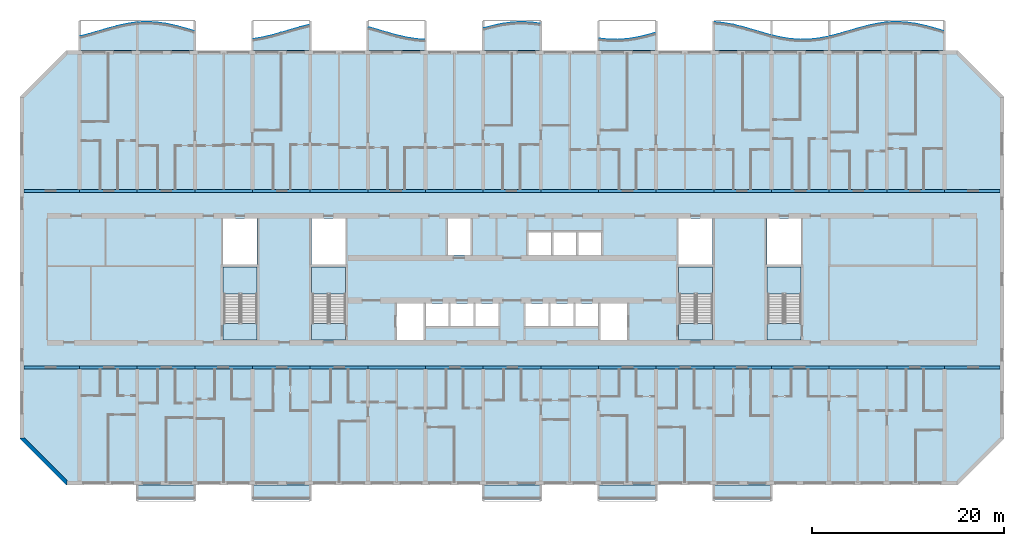
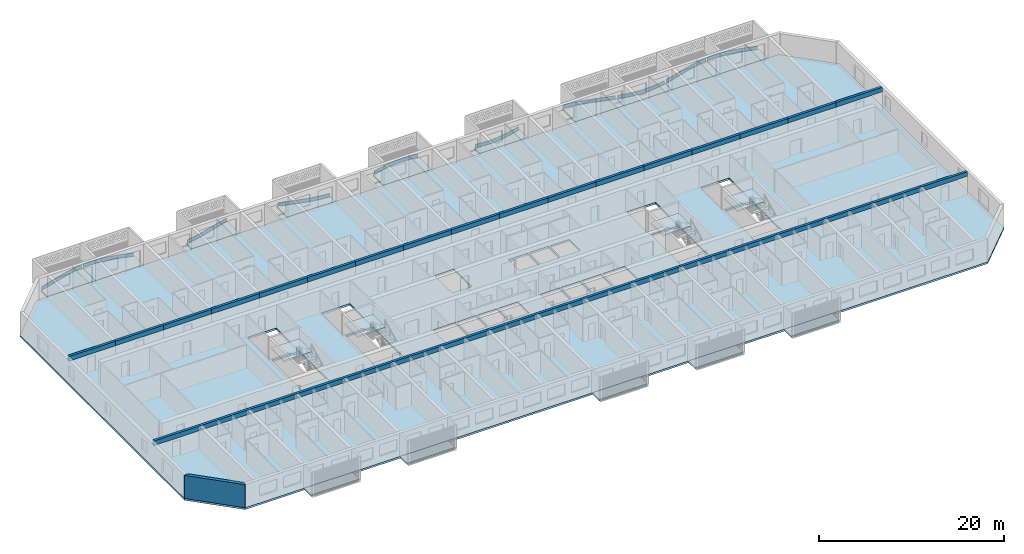
# One storey, part 1 of 40: 34 beams, 24 slabs, 10 plates, 1 wall, 4 elements without a shape of their own.
"""IFC4 building model written with IfcOpenShell, lengths in metres."""

from ifc_helpers import new_model, si_unit, direction, frame, origin, origin_2d, place, context, subcontext, project, spatial, polyline, rectangle, outline, extrude, source, transform, mapped, material, layer, layer_set, material_profile, profile_set, type_object, element, aggregate, save


model = new_model("IFC4")

# Units and contexts
model_context = context("Model", 3, precision=1e-05, world=origin(), true_north=direction((0.0, 1.0)))
body_context = subcontext(model_context, "Body", "Model", "MODEL_VIEW")
ifc_project = project(units=[si_unit("LENGTHUNIT", "METRE"), si_unit("AREAUNIT", "SQUARE_METRE"), si_unit("VOLUMEUNIT", "CUBIC_METRE"), si_unit("PLANEANGLEUNIT", "RADIAN"), si_unit("MASSUNIT", "GRAM", prefix="KILO")], contexts=[model_context])

# Site, building, storey
site_placement = place(None, origin())
site = spatial("IfcSite", under=ifc_project, at=site_placement, CompositionType="ELEMENT")
building_placement = place(site_placement, origin())
building = spatial("IfcBuilding", under=site, at=building_placement, Name="Poui Terraces", CompositionType="ELEMENT")
storey_placement = place(building_placement, frame((0.0, 0.0, 33.300048828125)))
storey = spatial("IfcBuildingStorey", under=building, at=storey_placement, Name="L08", CompositionType="ELEMENT", Elevation=33.300048828125)

# Beams
ifc_material_1 = material(Name="Concrete 80 MPa", Category="concrete")
ifc_material_profile = material_profile(ifc_material_1, rectangle(XDim=0.300048828125, YDim=0.60009765625, at=origin_2d()), Name="RC 300x600")
ifc_profile_set = profile_set([ifc_material_profile], Name="Concrete 80 MPa")
beam_type = type_object("IfcBeamType", Name="COUPLING BEAM 300x600 80MPa", PredefinedType="BEAM", material=ifc_profile_set)
shared_shape_1 = source(origin(), body_context, "Body", "SweptSolid", [
    extrude(rectangle(XDim=0.300048828125, YDim=0.60009765625, at=origin_2d()), origin(), (0.0, 0.0, 1.0), 6.0),
])
for number, where, z_axis, x_axis, name in (
    (1, (6.0, 12.0, 2.75), (1.0, 0.0, 0.0), (0.0, 1.0, 0.0), "COUPLING BEAM LINE B BAY 2"),
    (2, (12.0, 12.0, 2.75), (1.0, 0.0, 0.0), (0.0, 1.0, 0.0), "COUPLING BEAM LINE B BAY 3"),
    (3, (18.0, 12.0, 2.75), (1.0, 0.0, 0.0), (0.0, 1.0, 0.0), "COUPLING BEAM LINE B BAY 4"),
    (4, (24.0, 12.0, 2.75), (1.0, 0.0, 0.0), (0.0, 1.0, 0.0), "COUPLING BEAM LINE B BAY 5"),
    (5, (30.0, 12.0, 2.75), (1.0, 0.0, 0.0), (0.0, 1.0, 0.0), "COUPLING BEAM LINE B BAY 6"),
    (6, (36.0, 12.0, 2.75), (1.0, 0.0, 0.0), (0.0, 1.0, 0.0), "COUPLING BEAM LINE B BAY 7"),
    (7, (42.0, 12.0, 2.75), (1.0, 0.0, 0.0), (0.0, 1.0, 0.0), "COUPLING BEAM LINE B BAY 8"),
    (8, (48.0, 12.0, 2.75), (1.0, 0.0, 0.0), (0.0, 1.0, 0.0), "COUPLING BEAM LINE B BAY 9"),
    (9, (54.0, 12.0, 2.75), (1.0, 0.0, 0.0), (0.0, 1.0, 0.0), "COUPLING BEAM LINE B BAY 10"),
    (10, (60.0, 12.0, 2.75), (1.0, 0.0, 0.0), (0.0, 1.0, 0.0), "COUPLING BEAM LINE B BAY 11"),
    (11, (66.0, 12.0, 2.75), (1.0, 0.0, 0.0), (0.0, 1.0, 0.0), "COUPLING BEAM LINE B BAY 12"),
    (12, (72.0, 12.0, 2.75), (1.0, 0.0, 0.0), (0.0, 1.0, 0.0), "COUPLING BEAM LINE B BAY 13"),
    (13, (78.0, 12.0, 2.75), (1.0, 0.0, 0.0), (0.0, 1.0, 0.0), "COUPLING BEAM LINE B BAY 14"),
    (14, (84.0, 12.0, 2.75), (1.0, 0.0, 0.0), (0.0, 1.0, 0.0), "COUPLING BEAM LINE B BAY 15"),
    (15, (90.0, 12.0, 2.75), (1.0, 0.0, 0.0), (0.0, 1.0, 0.0), "COUPLING BEAM LINE B BAY 16"),
    (16, (6.0, 30.39990234375, 2.75), (1.0, 0.0, 0.0), (0.0, 1.0, 0.0), "COUPLING BEAM LINE E BAY 2"),
    (17, (12.0, 30.39990234375, 2.75), (1.0, 0.0, 0.0), (0.0, 1.0, 0.0), "COUPLING BEAM LINE E BAY 3"),
    (18, (18.0, 30.39990234375, 2.75), (1.0, 0.0, 0.0), (0.0, 1.0, 0.0), "COUPLING BEAM LINE E BAY 4"),
    (19, (24.0, 30.39990234375, 2.75), (1.0, 0.0, 0.0), (0.0, 1.0, 0.0), "COUPLING BEAM LINE E BAY 5"),
    (20, (30.0, 30.39990234375, 2.75), (1.0, 0.0, 0.0), (0.0, 1.0, 0.0), "COUPLING BEAM LINE E BAY 6"),
    (21, (36.0, 30.39990234375, 2.75), (1.0, 0.0, 0.0), (0.0, 1.0, 0.0), "COUPLING BEAM LINE E BAY 7"),
    (22, (42.0, 30.39990234375, 2.75), (1.0, 0.0, 0.0), (0.0, 1.0, 0.0), "COUPLING BEAM LINE E BAY 8"),
    (23, (48.0, 30.39990234375, 2.75), (1.0, 0.0, 0.0), (0.0, 1.0, 0.0), "COUPLING BEAM LINE E BAY 9"),
    (24, (54.0, 30.39990234375, 2.75), (1.0, 0.0, 0.0), (0.0, 1.0, 0.0), "COUPLING BEAM LINE E BAY 10"),
    (25, (60.0, 30.39990234375, 2.75), (1.0, 0.0, 0.0), (0.0, 1.0, 0.0), "COUPLING BEAM LINE E BAY 11"),
    (26, (66.0, 30.39990234375, 2.75), (1.0, 0.0, 0.0), (0.0, 1.0, 0.0), "COUPLING BEAM LINE E BAY 12"),
    (27, (72.0, 30.39990234375, 2.75), (1.0, 0.0, 0.0), (0.0, 1.0, 0.0), "COUPLING BEAM LINE E BAY 13"),
    (28, (78.0, 30.39990234375, 2.75), (1.0, 0.0, 0.0), (0.0, 1.0, 0.0), "COUPLING BEAM LINE E BAY 14"),
    (29, (84.0, 30.39990234375, 2.75), (1.0, 0.0, 0.0), (0.0, 1.0, 0.0), "COUPLING BEAM LINE E BAY 15"),
    (30, (90.0, 30.39990234375, 2.75), (1.0, 0.0, 0.0), (0.0, 1.0, 0.0), "COUPLING BEAM LINE E BAY 16"),
):
    element("IfcBeam", number, at=place(storey_placement, frame(where, z_axis=z_axis, x_axis=x_axis)), inside=storey, type_object=beam_type, Name=name, PredefinedType="BEAM", context=body_context, shape_type="MappedRepresentation", body=[
        mapped(shared_shape_1, transform((0.0, 0.0, 0.0))),
    ])
shared_shape_2 = source(origin(), body_context, "Body", "SweptSolid", [
    extrude(rectangle(XDim=0.300048828125, YDim=0.60009765625, at=origin_2d()), origin(), (0.0, 0.0, 1.0), 5.800048828125),
])
for number, where, z_axis, x_axis, name in (
    (31, (0.199951171875, 12.0, 2.75), (1.0, 0.0, 0.0), (0.0, 1.0, 0.0), "COUPLING BEAM LINE B BAY 1"),
    (32, (96.0, 12.0, 2.75), (1.0, 0.0, 0.0), (0.0, 1.0, 0.0), "COUPLING BEAM LINE B BAY 17"),
    (33, (0.199951171875, 30.39990234375, 2.75), (1.0, 0.0, 0.0), (0.0, 1.0, 0.0), "COUPLING BEAM LINE E BAY 1"),
    (34, (96.0, 30.39990234375, 2.75), (1.0, 0.0, 0.0), (0.0, 1.0, 0.0), "COUPLING BEAM LINE E BAY 17"),
):
    element("IfcBeam", number, at=place(storey_placement, frame(where, z_axis=z_axis, x_axis=x_axis)), inside=storey, type_object=beam_type, Name=name, PredefinedType="BEAM", context=body_context, shape_type="MappedRepresentation", body=[
        mapped(shared_shape_2, transform((0.0, 0.0, 0.0))),
    ])

# Slabs
ifc_material_2 = material(Name="Precast concrete 40 MPa", Category="concrete")
ifc_layer_1 = layer(ifc_material_2, 0.199951171875)
ifc_layer_set_1 = layer_set([ifc_layer_1], Name="Precast concrete 40 MPa")
slab_type_1 = type_object("IfcSlabType", Name="BALCONY SLAB 200", PredefinedType="FLOOR", material=ifc_layer_set_1)
slab_1_placement = place(storey_placement, frame((0.0, 0.0, -0.2001953125)))
element("IfcSlab", 35, at=slab_1_placement, inside=storey, type_object=slab_type_1, Name="BALCONY SLAB", PredefinedType="FLOOR", context=body_context, shape_type="SweptSolid", body=[
    extrude(outline(polyline([(6.0, 45.0), (12.0, 45.0), (12.0, 47.90234375), (11.0, 47.764404296875), (10.0, 47.550537109375), (9.0, 47.282470703125), (8.0, 46.98779296875), (7.0, 46.697021484375), (6.0, 46.43994140625), (6.0, 45.0)])), origin(), (0.0, 0.0, 1.0), 0.2001953125),
])
slab_2_placement = place(storey_placement, frame((0.0, 0.0, -0.2001953125)))
element("IfcSlab", 36, at=slab_2_placement, inside=storey, type_object=slab_type_1, Name="BALCONY SLAB", PredefinedType="FLOOR", context=body_context, shape_type="SweptSolid", body=[
    extrude(outline(polyline([(12.0, 45.0), (18.0, 45.0), (18.0, 46.98779296875), (17.0, 47.282470703125), (16.0, 47.550537109375), (15.0, 47.764404296875), (14.0, 47.90234375), (13.0, 47.949951171875), (12.0, 47.90234375), (12.0, 45.0)])), origin(), (0.0, 0.0, 1.0), 0.2001953125),
])
slab_3_placement = place(storey_placement, frame((0.0, 0.0, -0.2001953125)))
element("IfcSlab", 37, at=slab_3_placement, inside=storey, type_object=slab_type_1, Name="BALCONY SLAB", PredefinedType="FLOOR", context=body_context, shape_type="SweptSolid", body=[
    extrude(outline(polyline([(24.0, 45.0), (30.0, 45.0), (30.0, 47.665771484375), (29.0, 47.42138671875), (28.0, 47.136474609375), (27.0, 46.840087890625), (26.0, 46.5625), (25.0, 46.33251953125), (24.0, 46.174072265625), (24.0, 45.0)])), origin(), (0.0, 0.0, 1.0), 0.2001953125),
])
slab_4_placement = place(storey_placement, frame((0.0, 0.0, -0.2001953125)))
element("IfcSlab", 38, at=slab_4_placement, inside=storey, type_object=slab_type_1, Name="BALCONY SLAB", PredefinedType="FLOOR", context=body_context, shape_type="SweptSolid", body=[
    extrude(outline(polyline([(36.0, 45.0), (42.0, 45.0), (42.0, 46.10302734375), (41.0, 46.174072265625), (40.0, 46.33251953125), (39.0, 46.5625), (38.0, 46.840087890625), (37.0, 47.136474609375), (36.0, 47.42138671875), (36.0, 45.0)])), origin(), (0.0, 0.0, 1.0), 0.2001953125),
])
slab_5_placement = place(storey_placement, frame((0.0, 0.0, -0.2001953125)))
element("IfcSlab", 39, at=slab_5_placement, inside=storey, type_object=slab_type_1, Name="BALCONY SLAB", PredefinedType="FLOOR", context=body_context, shape_type="SweptSolid", body=[
    extrude(outline(polyline([(48.0, 45.0), (54.0, 45.0), (54.0, 47.764404296875), (53.0, 47.90234375), (52.0, 47.949951171875), (51.0, 47.90234375), (50.0, 47.764404296875), (49.0, 47.550537109375), (48.0, 47.282470703125), (48.0, 45.0)])), origin(), (0.0, 0.0, 1.0), 0.2001953125),
])
slab_6_placement = place(storey_placement, frame((0.0, 0.0, -0.2001953125)))
element("IfcSlab", 40, at=slab_6_placement, inside=storey, type_object=slab_type_1, Name="BALCONY SLAB", PredefinedType="FLOOR", context=body_context, shape_type="SweptSolid", body=[
    extrude(outline(polyline([(60.0, 45.0), (66.0, 45.0), (66.0, 46.840087890625), (65.0, 46.5625), (64.0, 46.33251953125), (63.0, 46.174072265625), (62.0, 46.10302734375), (61.0, 46.126953125), (60.0, 46.2431640625), (60.0, 45.0)])), origin(), (0.0, 0.0, 1.0), 0.2001953125),
])
slab_7_placement = place(storey_placement, frame((0.0, 0.0, -0.2001953125)))
element("IfcSlab", 41, at=slab_7_placement, inside=storey, type_object=slab_type_1, Name="BALCONY SLAB", PredefinedType="FLOOR", context=body_context, shape_type="SweptSolid", body=[
    extrude(outline(polyline([(72.0, 45.0), (78.0, 45.0), (78.0, 46.5625), (77.0, 46.840087890625), (76.0, 47.136474609375), (75.0, 47.42138671875), (74.0, 47.665771484375), (73.0, 47.843994140625), (72.0, 47.93798828125), (72.0, 45.0)])), origin(), (0.0, 0.0, 1.0), 0.2001953125),
])
slab_8_placement = place(storey_placement, frame((0.0, 0.0, -0.2001953125)))
element("IfcSlab", 42, at=slab_8_placement, inside=storey, type_object=slab_type_1, Name="BALCONY SLAB", PredefinedType="FLOOR", context=body_context, shape_type="SweptSolid", body=[
    extrude(outline(polyline([(78.0, 45.0), (84.0, 45.0), (84.0, 46.43994140625), (83.0, 46.2431640625), (82.0, 46.126953125), (81.0, 46.10302734375), (80.0, 46.174072265625), (79.0, 46.33251953125), (78.0, 46.5625), (78.0, 45.0)])), origin(), (0.0, 0.0, 1.0), 0.2001953125),
])
slab_9_placement = place(storey_placement, frame((0.0, 0.0, -0.2001953125)))
element("IfcSlab", 43, at=slab_9_placement, inside=storey, type_object=slab_type_1, Name="BALCONY SLAB", PredefinedType="FLOOR", context=body_context, shape_type="SweptSolid", body=[
    extrude(outline(polyline([(84.0, 45.0), (90.0, 45.0), (90.0, 47.90234375), (89.0, 47.764404296875), (88.0, 47.550537109375), (87.0, 47.282470703125), (86.0, 46.98779296875), (85.0, 46.697021484375), (84.0, 46.43994140625), (84.0, 45.0)])), origin(), (0.0, 0.0, 1.0), 0.2001953125),
])
slab_10_placement = place(storey_placement, frame((0.0, 0.0, -0.2001953125)))
element("IfcSlab", 44, at=slab_10_placement, inside=storey, type_object=slab_type_1, Name="BALCONY SLAB", PredefinedType="FLOOR", context=body_context, shape_type="SweptSolid", body=[
    extrude(outline(polyline([(90.0, 45.0), (96.0, 45.0), (96.0, 46.98779296875), (95.0, 47.282470703125), (94.0, 47.550537109375), (93.0, 47.764404296875), (92.0, 47.90234375), (91.0, 47.949951171875), (90.0, 47.90234375), (90.0, 45.0)])), origin(), (0.0, 0.0, 1.0), 0.2001953125),
])

# Stair, slabs
stair_type = type_object("IfcStairType", Name="EXIT STAIR 1650 80 MPA", PredefinedType="HALF_TURN_STAIR", material=ifc_material_1)
stair_1_placement = place(storey_placement, origin())
stair_1 = element("IfcStair", 45, at=stair_1_placement, inside=storey, type_object=stair_type, Name="L08 CORE STAIR EAST", PredefinedType="HALF_TURN_STAIR")
ifc_layer_2 = layer(ifc_material_1, 0.199951171875)
ifc_layer_set_2 = layer_set([ifc_layer_2], Name="Concrete 80 MPa")
slab_type_2 = type_object("IfcSlabType", Name="STAIR LANDING 200 80 MPA", PredefinedType="LANDING", material=ifc_layer_set_2)
slab_11_placement = place(storey_placement, frame((0.0, 0.0, 1.449951171875)))
slab_11 = element("IfcSlab", 46, at=slab_11_placement, type_object=slab_type_2, Name="ST-CE landing 1", PredefinedType="LANDING", context=body_context, shape_type="SweptSolid", body=[
    extrude(outline(polyline([(68.324951171875, 19.679931640625), (71.875, 19.679931640625), (71.875, 22.47509765625), (68.324951171875, 22.47509765625), (68.324951171875, 19.679931640625)])), origin(), (0.0, 0.0, 1.0), 0.199951171875),
])
slab_12_placement = place(storey_placement, frame((0.0, 0.0, -0.2001953125)))
slab_12 = element("IfcSlab", 47, at=slab_12_placement, type_object=slab_type_2, Name="ST-CE landing 2", PredefinedType="LANDING", context=body_context, shape_type="SweptSolid", body=[
    extrude(outline(polyline([(68.324951171875, 14.89990234375), (71.875, 14.89990234375), (71.875, 16.60009765625), (68.324951171875, 16.60009765625), (68.324951171875, 14.89990234375)])), origin(), (0.0, 0.0, 1.0), 0.2001953125),
])
aggregate(stair_1, [slab_11, slab_12])

stair_2_placement = place(storey_placement, origin())
stair_2 = element("IfcStair", 48, at=stair_2_placement, inside=storey, type_object=stair_type, Name="L08 CORE STAIR WEST", PredefinedType="HALF_TURN_STAIR")
slab_13_placement = place(storey_placement, frame((0.0, 0.0, 1.449951171875)))
slab_13 = element("IfcSlab", 49, at=slab_13_placement, type_object=slab_type_2, Name="ST-CW landing 1", PredefinedType="LANDING", context=body_context, shape_type="SweptSolid", body=[
    extrude(outline(polyline([(30.125, 19.679931640625), (33.675048828125, 19.679931640625), (33.675048828125, 22.47509765625), (30.125, 22.47509765625), (30.125, 19.679931640625)])), origin(), (0.0, 0.0, 1.0), 0.199951171875),
])
slab_14_placement = place(storey_placement, frame((0.0, 0.0, -0.2001953125)))
slab_14 = element("IfcSlab", 50, at=slab_14_placement, type_object=slab_type_2, Name="ST-CW landing 2", PredefinedType="LANDING", context=body_context, shape_type="SweptSolid", body=[
    extrude(outline(polyline([(30.125, 14.89990234375), (33.675048828125, 14.89990234375), (33.675048828125, 16.60009765625), (30.125, 16.60009765625), (30.125, 14.89990234375)])), origin(), (0.0, 0.0, 1.0), 0.2001953125),
])
aggregate(stair_2, [slab_13, slab_14])

stair_3_placement = place(storey_placement, origin())
stair_3 = element("IfcStair", 51, at=stair_3_placement, inside=storey, type_object=stair_type, Name="L08 TIP STAIR EAST", PredefinedType="HALF_TURN_STAIR")
slab_15_placement = place(storey_placement, frame((0.0, 0.0, 1.449951171875)))
slab_15 = element("IfcSlab", 52, at=slab_15_placement, type_object=slab_type_2, Name="ST-E landing 1", PredefinedType="LANDING", context=body_context, shape_type="SweptSolid", body=[
    extrude(outline(polyline([(77.52490234375, 19.679931640625), (81.074951171875, 19.679931640625), (81.074951171875, 22.47509765625), (77.52490234375, 22.47509765625), (77.52490234375, 19.679931640625)])), origin(), (0.0, 0.0, 1.0), 0.199951171875),
])
slab_16_placement = place(storey_placement, frame((0.0, 0.0, -0.2001953125)))
slab_16 = element("IfcSlab", 53, at=slab_16_placement, type_object=slab_type_2, Name="ST-E landing 2", PredefinedType="LANDING", context=body_context, shape_type="SweptSolid", body=[
    extrude(outline(polyline([(77.52490234375, 14.89990234375), (81.074951171875, 14.89990234375), (81.074951171875, 16.60009765625), (77.52490234375, 16.60009765625), (77.52490234375, 14.89990234375)])), origin(), (0.0, 0.0, 1.0), 0.2001953125),
])
aggregate(stair_3, [slab_15, slab_16])

stair_4_placement = place(storey_placement, origin())
stair_4 = element("IfcStair", 54, at=stair_4_placement, inside=storey, type_object=stair_type, Name="L08 TIP STAIR WEST", PredefinedType="HALF_TURN_STAIR")
slab_17_placement = place(storey_placement, frame((0.0, 0.0, 1.449951171875)))
slab_17 = element("IfcSlab", 55, at=slab_17_placement, type_object=slab_type_2, Name="ST-W landing 1", PredefinedType="LANDING", context=body_context, shape_type="SweptSolid", body=[
    extrude(outline(polyline([(20.925048828125, 19.679931640625), (24.47509765625, 19.679931640625), (24.47509765625, 22.47509765625), (20.925048828125, 22.47509765625), (20.925048828125, 19.679931640625)])), origin(), (0.0, 0.0, 1.0), 0.199951171875),
])
slab_18_placement = place(storey_placement, frame((0.0, 0.0, -0.2001953125)))
slab_18 = element("IfcSlab", 56, at=slab_18_placement, type_object=slab_type_2, Name="ST-W landing 2", PredefinedType="LANDING", context=body_context, shape_type="SweptSolid", body=[
    extrude(outline(polyline([(20.925048828125, 14.89990234375), (24.47509765625, 14.89990234375), (24.47509765625, 16.60009765625), (20.925048828125, 16.60009765625), (20.925048828125, 14.89990234375)])), origin(), (0.0, 0.0, 1.0), 0.2001953125),
])
aggregate(stair_4, [slab_17, slab_18])

# Plates
ifc_layer_3 = layer(ifc_material_2, 0.080078125)
ifc_layer_set_3 = layer_set([ifc_layer_3], Name="Precast concrete 40 MPa")
plate_type = type_object("IfcPlateType", Name="SUNSHADE UPSTAND 80", PredefinedType="SHEET", material=ifc_layer_set_3)
plate_1_placement = place(storey_placement, origin())
element("IfcPlate", 57, at=plate_1_placement, inside=storey, type_object=plate_type, Name="SUNSHADE UPSTAND", PredefinedType="SHEET", context=body_context, shape_type="SweptSolid", body=[
    extrude(outline(polyline([(6.989501953125, 46.690673828125), (6.114990234375, 46.462890625), (6.135009765625, 46.385498046875), (7.010498046875, 46.61328125), (8.01123046875, 46.904296875), (9.0107421875, 47.19873046875), (10.009521484375, 47.466552734375), (11.007080078125, 47.68017578125), (11.880615234375, 47.805419921875), (11.869384765625, 47.884521484375), (11.848876953125, 47.881591796875), (10.992919921875, 47.7587890625), (9.990478515625, 47.54443359375), (8.9892578125, 47.27587890625), (7.98876953125, 46.981201171875), (6.989501953125, 46.690673828125)])), origin(), (0.0, 0.0, 1.0), 0.449951171875),
])
plate_2_placement = place(storey_placement, origin())
element("IfcPlate", 58, at=plate_2_placement, inside=storey, type_object=plate_type, Name="SUNSHADE UPSTAND", PredefinedType="SHEET", context=body_context, shape_type="SweptSolid", body=[
    extrude(outline(polyline([(13.0, 47.945068359375), (12.153564453125, 47.90966796875), (12.123291015625, 47.908203125), (12.126708984375, 47.82861328125), (13.0, 47.864990234375), (13.996337890625, 47.8173828125), (14.9931640625, 47.68017578125), (15.990478515625, 47.466552734375), (16.9892578125, 47.19873046875), (17.86376953125, 46.941650390625), (17.88623046875, 47.018310546875), (17.0107421875, 47.27587890625), (16.009521484375, 47.54443359375), (15.0068359375, 47.7587890625), (14.003662109375, 47.897216796875), (13.0, 47.945068359375)])), origin(), (0.0, 0.0, 1.0), 0.449951171875),
])
plate_3_placement = place(storey_placement, origin())
element("IfcPlate", 59, at=plate_3_placement, inside=storey, type_object=plate_type, Name="SUNSHADE UPSTAND", PredefinedType="SHEET", context=body_context, shape_type="SweptSolid", body=[
    extrude(outline(polyline([(24.9921875, 46.326904296875), (24.118408203125, 46.183837890625), (24.131591796875, 46.104736328125), (25.0078125, 46.248291015625), (26.009765625, 46.478759765625), (27.010986328125, 46.756591796875), (28.01123046875, 47.052978515625), (29.01025390625, 47.337890625), (29.884521484375, 47.5546875), (29.865478515625, 47.632080078125), (28.98974609375, 47.415283203125), (27.98876953125, 47.1298828125), (26.989013671875, 46.83349609375), (25.990234375, 46.556396484375), (24.9921875, 46.326904296875)])), origin(), (0.0, 0.0, 1.0), 0.449951171875),
])
plate_4_placement = place(storey_placement, origin())
element("IfcPlate", 60, at=plate_4_placement, inside=storey, type_object=plate_type, Name="SUNSHADE UPSTAND", PredefinedType="SHEET", context=body_context, shape_type="SweptSolid", body=[
    extrude(outline(polyline([(37.01123046875, 47.1298828125), (36.135986328125, 47.381103515625), (36.114013671875, 47.30419921875), (36.98876953125, 47.052978515625), (37.989013671875, 46.756591796875), (38.990234375, 46.478759765625), (39.992431640625, 46.248291015625), (40.995361328125, 46.08935546875), (41.871826171875, 46.02197265625), (41.878173828125, 46.1015625), (41.004638671875, 46.168701171875), (40.007568359375, 46.326904296875), (39.009765625, 46.556396484375), (38.010986328125, 46.83349609375), (37.01123046875, 47.1298828125)])), origin(), (0.0, 0.0, 1.0), 0.449951171875),
])
plate_5_placement = place(storey_placement, origin())
element("IfcPlate", 61, at=plate_5_placement, inside=storey, type_object=plate_type, Name="SUNSHADE UPSTAND", PredefinedType="SHEET", context=body_context, shape_type="SweptSolid", body=[
    extrude(outline(polyline([(48.99072265625, 47.54443359375), (48.11474609375, 47.3115234375), (48.13525390625, 47.234375), (49.00927734375, 47.466552734375), (50.0068359375, 47.68017578125), (51.003662109375, 47.8173828125), (52.0, 47.864990234375), (52.996337890625, 47.8173828125), (53.86962890625, 47.70166015625), (53.88037109375, 47.781005859375), (53.003662109375, 47.897216796875), (52.0, 47.945068359375), (50.996337890625, 47.897216796875), (49.9931640625, 47.7587890625), (48.99072265625, 47.54443359375)])), origin(), (0.0, 0.0, 1.0), 0.449951171875),
])
plate_6_placement = place(storey_placement, origin())
element("IfcPlate", 62, at=plate_6_placement, inside=storey, type_object=plate_type, Name="SUNSHADE UPSTAND", PredefinedType="SHEET", context=body_context, shape_type="SweptSolid", body=[
    extrude(outline(polyline([(61.002685546875, 46.121826171875), (60.12939453125, 46.21875), (60.12060546875, 46.13916015625), (60.997314453125, 46.0419921875), (62.0009765625, 46.01806640625), (63.004638671875, 46.089111328125), (64.007568359375, 46.248291015625), (65.009765625, 46.478759765625), (65.885498046875, 46.72021484375), (65.864501953125, 46.797119140625), (64.990234375, 46.556396484375), (63.992431640625, 46.326904296875), (62.995361328125, 46.168701171875), (61.9990234375, 46.097900390625), (61.002685546875, 46.121826171875)])), origin(), (0.0, 0.0, 1.0), 0.449951171875),
])
plate_7_placement = place(storey_placement, origin())
element("IfcPlate", 63, at=plate_7_placement, inside=storey, type_object=plate_type, Name="SUNSHADE UPSTAND", PredefinedType="SHEET", context=body_context, shape_type="SweptSolid", body=[
    extrude(outline(polyline([(73.005615234375, 47.838623046875), (72.1650390625, 47.922607421875), (72.12890625, 47.92578125), (72.12109375, 47.846435546875), (72.994384765625, 47.759521484375), (73.99169921875, 47.58154296875), (74.98974609375, 47.337890625), (75.98876953125, 47.052978515625), (76.989013671875, 46.756591796875), (77.8642578125, 46.51171875), (77.8857421875, 46.588623046875), (77.010986328125, 46.83349609375), (76.01123046875, 47.1298828125), (75.01025390625, 47.415283203125), (74.00830078125, 47.659912109375), (73.005615234375, 47.838623046875)])), origin(), (0.0, 0.0, 1.0), 0.449951171875),
])
plate_8_placement = place(storey_placement, origin())
element("IfcPlate", 64, at=plate_8_placement, inside=storey, type_object=plate_type, Name="SUNSHADE UPSTAND", PredefinedType="SHEET", context=body_context, shape_type="SweptSolid", body=[
    extrude(outline(polyline([(79.007568359375, 46.326904296875), (78.1337890625, 46.524658203125), (78.1162109375, 46.446533203125), (78.992431640625, 46.248291015625), (79.995361328125, 46.089111328125), (80.9990234375, 46.01806640625), (82.002685546875, 46.0419921875), (83.006103515625, 46.15869140625), (83.882568359375, 46.327392578125), (83.867431640625, 46.406005859375), (82.993896484375, 46.23779296875), (81.997314453125, 46.121826171875), (81.0009765625, 46.097900390625), (80.004638671875, 46.168701171875), (79.007568359375, 46.326904296875)])), origin(), (0.0, 0.0, 1.0), 0.449951171875),
])
plate_9_placement = place(storey_placement, origin())
element("IfcPlate", 65, at=plate_9_placement, inside=storey, type_object=plate_type, Name="SUNSHADE UPSTAND", PredefinedType="SHEET", context=body_context, shape_type="SweptSolid", body=[
    extrude(outline(polyline([(84.989501953125, 46.690673828125), (84.114990234375, 46.462890625), (84.135009765625, 46.385498046875), (85.010498046875, 46.61328125), (86.01123046875, 46.904296875), (87.0107421875, 47.19873046875), (88.009521484375, 47.466552734375), (89.007080078125, 47.68017578125), (89.880615234375, 47.805419921875), (89.869384765625, 47.884521484375), (89.848876953125, 47.881591796875), (88.992919921875, 47.7587890625), (87.990478515625, 47.54443359375), (86.9892578125, 47.27587890625), (85.98876953125, 46.981201171875), (84.989501953125, 46.690673828125)])), origin(), (0.0, 0.0, 1.0), 0.449951171875),
])
plate_10_placement = place(storey_placement, origin())
element("IfcPlate", 66, at=plate_10_placement, inside=storey, type_object=plate_type, Name="SUNSHADE UPSTAND", PredefinedType="SHEET", context=body_context, shape_type="SweptSolid", body=[
    extrude(outline(polyline([(91.0, 47.945068359375), (90.153564453125, 47.90966796875), (90.123291015625, 47.908203125), (90.126708984375, 47.82861328125), (91.0, 47.864990234375), (91.996337890625, 47.8173828125), (92.9931640625, 47.68017578125), (93.990478515625, 47.466552734375), (94.9892578125, 47.19873046875), (95.86376953125, 46.941650390625), (95.88623046875, 47.018310546875), (95.0107421875, 47.27587890625), (94.009521484375, 47.54443359375), (93.0068359375, 47.7587890625), (92.003662109375, 47.897216796875), (91.0, 47.945068359375)])), origin(), (0.0, 0.0, 1.0), 0.449951171875),
])

# Slabs
ifc_material_3 = material(Name="Concrete 40 MPa", Category="concrete")
ifc_layer_4 = layer(ifc_material_3, 0.25)
ifc_layer_set_4 = layer_set([ifc_layer_4], Name="Concrete 40 MPa")
slab_type_3 = type_object("IfcSlabType", Name="FLOOR SLAB 250", PredefinedType="FLOOR", material=ifc_layer_set_4)
shared_shape_3 = source(origin(), body_context, "Body", "SweptSolid", [
    extrude(outline(polyline([(0.0, 0.0), (4.800048828125, -4.800048828125), (97.599853515625, -4.800048828125), (102.39990234375, 0.0), (102.39990234375, 35.599853515625), (97.599853515625, 40.39990234375), (4.800048828125, 40.39990234375), (0.0, 35.599853515625), (0.0, 0.0)]), holes=[polyline([(39.199951171875, 10.2998046875), (39.199951171875, 14.099853515625), (42.0, 14.099853515625), (42.0, 10.2998046875), (39.199951171875, 10.2998046875)]), polyline([(42.199951171875, 11.699951171875), (42.199951171875, 14.099853515625), (44.599853515625, 14.099853515625), (44.599853515625, 11.699951171875), (42.199951171875, 11.699951171875)]), polyline([(44.800048828125, 11.699951171875), (44.800048828125, 14.099853515625), (47.199951171875, 14.099853515625), (47.199951171875, 11.699951171875), (44.800048828125, 11.699951171875)]), polyline([(47.39990234375, 14.099853515625), (49.800048828125, 14.099853515625), (49.800048828125, 11.699951171875), (47.39990234375, 11.699951171875), (47.39990234375, 14.099853515625)]), polyline([(52.599853515625, 14.099853515625), (55.0, 14.099853515625), (55.0, 11.699951171875), (52.599853515625, 11.699951171875), (52.599853515625, 14.099853515625)]), polyline([(21.224853515625, 17.849853515625), (24.675048828125, 17.849853515625), (24.675048828125, 12.0), (24.675048828125, 10.2998046875), (21.125, 10.2998046875), (21.125, 12.0), (21.224853515625, 12.0), (21.224853515625, 17.849853515625)]), polyline([(30.425048828125, 17.849853515625), (33.875, 17.849853515625), (33.875, 12.0), (33.875, 10.2998046875), (30.324951171875, 10.2998046875), (30.324951171875, 12.0), (30.425048828125, 12.0), (30.425048828125, 17.849853515625)]), polyline([(21.125, 18.125), (21.125, 22.89990234375), (24.675048828125, 22.89990234375), (24.675048828125, 18.125), (21.125, 18.125)]), polyline([(30.324951171875, 22.89990234375), (33.875, 22.89990234375), (33.875, 18.125), (30.324951171875, 18.125), (30.324951171875, 22.89990234375)]), polyline([(44.5, 22.89990234375), (46.89990234375, 22.89990234375), (46.89990234375, 19.099853515625), (44.5, 19.099853515625), (44.5, 22.89990234375)]), polyline([(60.39990234375, 10.2998046875), (60.39990234375, 14.099853515625), (63.199951171875, 14.099853515625), (63.199951171875, 10.2998046875), (60.39990234375, 10.2998046875)]), polyline([(55.199951171875, 11.699951171875), (55.199951171875, 14.099853515625), (57.599853515625, 14.099853515625), (57.599853515625, 11.699951171875), (55.199951171875, 11.699951171875)]), polyline([(57.800048828125, 11.699951171875), (57.800048828125, 14.099853515625), (60.199951171875, 14.099853515625), (60.199951171875, 11.699951171875), (57.800048828125, 11.699951171875)]), polyline([(72.074951171875, 17.849853515625), (72.074951171875, 12.0), (72.074951171875, 10.2998046875), (68.52490234375, 10.2998046875), (68.52490234375, 12.0), (68.625, 12.0), (68.625, 17.849853515625), (72.074951171875, 17.849853515625)]), polyline([(81.27490234375, 17.849853515625), (81.27490234375, 12.0), (81.27490234375, 10.2998046875), (77.724853515625, 10.2998046875), (77.724853515625, 12.0), (77.824951171875, 12.0), (77.824951171875, 17.849853515625), (81.27490234375, 17.849853515625)]), polyline([(52.89990234375, 19.099853515625), (52.89990234375, 21.5), (55.300048828125, 21.5), (55.300048828125, 19.099853515625), (52.89990234375, 19.099853515625)]), polyline([(55.5, 19.099853515625), (55.5, 21.5), (57.89990234375, 21.5), (57.89990234375, 19.099853515625), (55.5, 19.099853515625)]), polyline([(58.099853515625, 19.099853515625), (58.099853515625, 21.5), (60.5, 21.5), (60.5, 19.099853515625), (58.099853515625, 19.099853515625)]), polyline([(68.52490234375, 22.89990234375), (72.074951171875, 22.89990234375), (72.074951171875, 18.125), (68.52490234375, 18.125), (68.52490234375, 22.89990234375)]), polyline([(77.724853515625, 22.89990234375), (81.27490234375, 22.89990234375), (81.27490234375, 18.125), (77.724853515625, 18.125), (77.724853515625, 22.89990234375)])]), origin(), (0.0, 0.0, 1.0), 0.250244140625),
])
slab_19_placement = place(storey_placement, frame((-0.199951171875, 4.60009765625, -0.250244140625)))
element("IfcSlab", 67, at=slab_19_placement, inside=storey, type_object=slab_type_3, Name="FLOOR SLAB", PredefinedType="FLOOR", context=body_context, shape_type="MappedRepresentation", body=[
    mapped(shared_shape_3, transform((0.0, 0.0, 0.0))),
])
ifc_layer_5 = layer(ifc_material_2, 0.199951171875)
ifc_layer_set_5 = layer_set([ifc_layer_5], Name="Precast concrete 40 MPa")
slab_type_4 = type_object("IfcSlabType", Name="REAR BALCONY SLAB 200", PredefinedType="FLOOR", material=ifc_layer_set_5)
shared_shape_4 = source(origin(), body_context, "Body", "SweptSolid", [
    extrude(outline(polyline([(0.0, 0.0), (6.0, 0.0), (6.0, 1.5), (0.0, 1.5), (0.0, 0.0)])), origin(), (0.0, 0.0, 1.0), 0.2001953125),
])
for number, where, name in (
    (68, (12.0, -1.699951171875, -0.2001953125), "REAR BALCONY SLAB"),
    (69, (24.0, -1.699951171875, -0.2001953125), "REAR BALCONY SLAB"),
    (70, (48.0, -1.699951171875, -0.2001953125), "REAR BALCONY SLAB"),
    (71, (60.0, -1.699951171875, -0.2001953125), "REAR BALCONY SLAB"),
    (72, (72.0, -1.699951171875, -0.2001953125), "REAR BALCONY SLAB"),
):
    element("IfcSlab", number, at=place(storey_placement, frame(where)), inside=storey, type_object=slab_type_4, Name=name, PredefinedType="FLOOR", context=body_context, shape_type="MappedRepresentation", body=[
        mapped(shared_shape_4, transform((0.0, 0.0, 0.0))),
    ])

# Wall
ifc_layer_6 = layer(ifc_material_2, 0.39990234375)
ifc_layer_set_6 = layer_set([ifc_layer_6], Name="Precast concrete 40 MPa")
wall_type = type_object("IfcWallType", Name="TERRACOTTA CLAD CHAMFER WALL 400", PredefinedType="STANDARD", material=ifc_layer_set_6)
wall_placement = place(storey_placement, origin())
element("IfcWall", 73, at=wall_placement, inside=storey, type_object=wall_type, Name="CHAMFER WALL CH07", PredefinedType="STANDARD", context=body_context, shape_type="SweptSolid", body=[
    extrude(outline(polyline([(-0.199951171875, 4.682861328125), (-0.199951171875, 4.60009765625), (4.60009765625, -0.199951171875), (4.682861328125, -0.199951171875), (4.682861328125, 0.28271484375), (0.28271484375, 4.682861328125), (-0.199951171875, 4.682861328125)])), origin(), (0.0, 0.0, 1.0), 3.050048828125),
])

save(model, "model.ifc")
